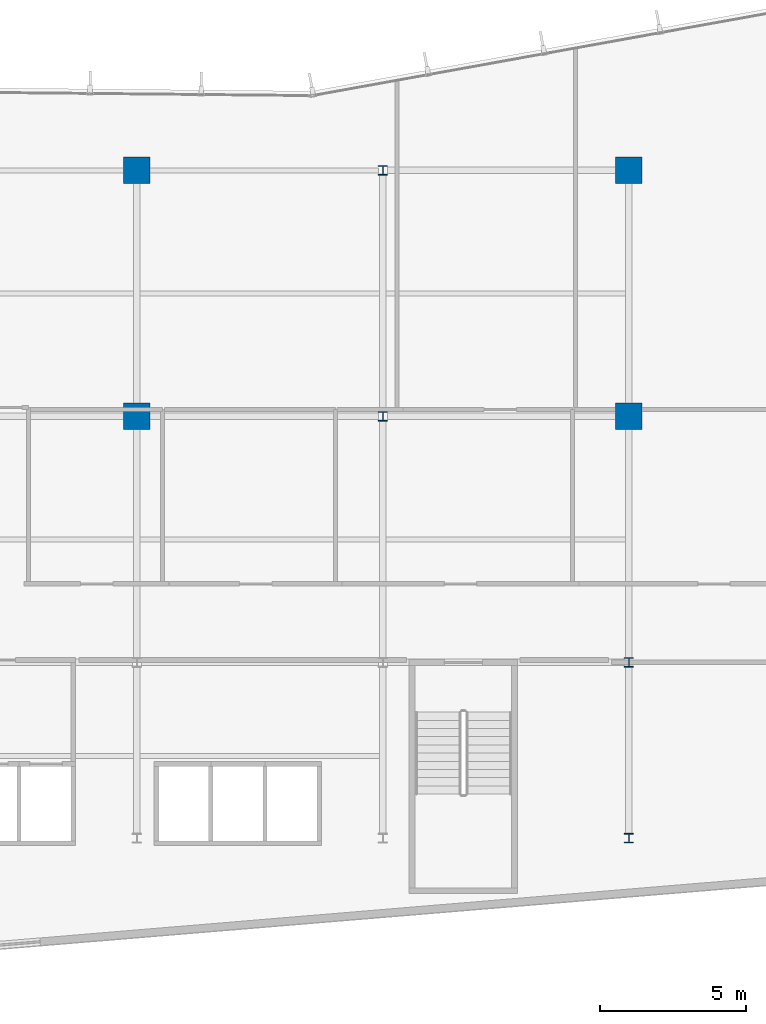
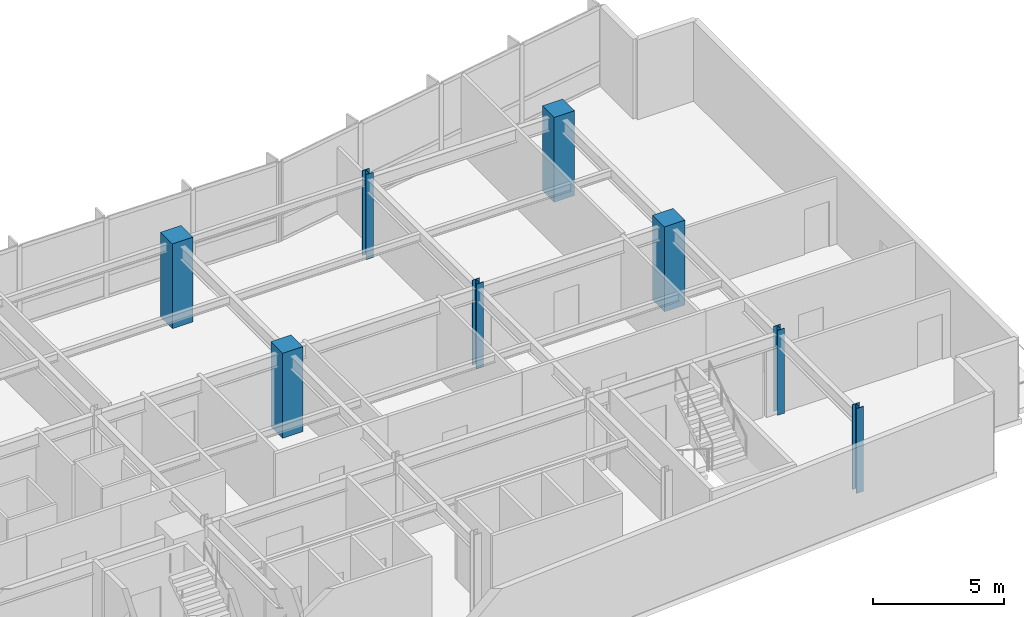
# One storey, part 2 of 18: 8 columns.
"""IFC4 building model written with IfcOpenShell, lengths in metres."""

from ifc_helpers import new_model, si_unit, direction, frame, origin, origin_2d, place, context, subcontext, project, spatial, rectangle, i_section, extrude, material, material_profile, profile_set, type_object, element, save


model = new_model("IFC4")

# Units and contexts
model_context = context("Model", 3, precision=1e-05, world=origin(), true_north=direction((0.0, 1.0)))
body_context = subcontext(model_context, "Body", "Model", "MODEL_VIEW")
ifc_project = project(units=[si_unit("LENGTHUNIT", "METRE"), si_unit("AREAUNIT", "SQUARE_METRE"), si_unit("VOLUMEUNIT", "CUBIC_METRE"), si_unit("PLANEANGLEUNIT", "RADIAN"), si_unit("MASSUNIT", "GRAM", prefix="KILO")], contexts=[model_context])

# Site, building, storey
site_placement = place(None, origin())
site = spatial("IfcSite", under=ifc_project, at=site_placement, CompositionType="ELEMENT")
building_placement = place(site_placement, origin())
building = spatial("IfcBuilding", under=site, at=building_placement, Name="Varnakote Quay Hospital", CompositionType="ELEMENT")
storey_placement = place(building_placement, frame((0.0, 0.0, 69.89990234375)))
storey = spatial("IfcBuildingStorey", under=building, at=storey_placement, Name="L17", CompositionType="ELEMENT", Elevation=69.89990234375)

# Columns
ifc_material_1 = material(Name="Concrete N50 (f'c 50 MPa)", Category="concrete")
ifc_material_profile_1 = material_profile(ifc_material_1, rectangle(XDim=0.89990234375, YDim=0.89990234375, at=origin_2d()), Name="RC-COL-900x900")
ifc_profile_set_1 = profile_set([ifc_material_profile_1], Name="Concrete N50 (f'c 50 MPa)")
column_type_1 = type_object("IfcColumnType", Name="COL-RC-900", PredefinedType="COLUMN", material=ifc_profile_set_1)
for number, where, z_axis, x_axis, name in (
    (1, (33.60009765625, 20.39990234375, 0.0), (0.0, 0.0, 1.0), (1.0, 0.0, 0.0), "L17 Structural Column C-34-20"),
    (2, (50.39990234375, 20.39990234375, 0.0), (0.0, 0.0, 1.0), (1.0, 0.0, 0.0), "L17 Structural Column C-50-20"),
    (3, (33.60009765625, 28.800048828125, 0.0), (0.0, 0.0, 1.0), (1.0, 0.0, 0.0), "L17 Structural Column C-34-29"),
    (4, (50.39990234375, 28.800048828125, 0.0), (0.0, 0.0, 1.0), (1.0, 0.0, 0.0), "L17 Structural Column C-50-29"),
):
    element("IfcColumn", number, at=place(storey_placement, frame(where, z_axis=z_axis, x_axis=x_axis)), inside=storey, type_object=column_type_1, Name=name, PredefinedType="COLUMN", context=body_context, shape_type="SweptSolid", body=[
        extrude(rectangle(XDim=0.89990234375, YDim=0.89990234375, at=origin_2d()), origin(), (0.0, 0.0, 1.0), 3.9501953125),
    ])
ifc_material_2 = material(Name="Structural steel AS/NZS 3679.1 Grade 350 L0 (fy 340 MPa)", Category="steel")
ifc_material_profile_2 = material_profile(ifc_material_2, i_section(OverallWidth=0.31103515625, OverallDepth=0.326904296875, WebThickness=0.015625, FlangeThickness=0.02490234375, FilletRadius=0.0166015625, at=origin_2d()), Name="310UC158")
ifc_profile_set_2 = profile_set([ifc_material_profile_2], Name="Structural steel AS/NZS 3679.1 Grade 350 L0 (fy 340 MPa)")
column_type_2 = type_object("IfcColumnType", Name="COL-STL-310UC158", PredefinedType="COLUMN", material=ifc_profile_set_2)
for number, where, z_axis, x_axis, name in (
    (5, (50.39990234375, 6.0, 0.0), (0.0, 0.0, 1.0), (1.0, 0.0, 0.0), "L17 Structural Column C-50-6"),
    (6, (50.39990234375, 12.0, 0.0), (0.0, 0.0, 1.0), (1.0, 0.0, 0.0), "L17 Structural Column C-50-12"),
    (7, (42.0, 20.39990234375, 0.0), (0.0, 0.0, 1.0), (1.0, 0.0, 0.0), "L17 Structural Column C-42-20"),
    (8, (42.0, 28.800048828125, 0.0), (0.0, 0.0, 1.0), (1.0, 0.0, 0.0), "L17 Structural Column C-42-29"),
):
    element("IfcColumn", number, at=place(storey_placement, frame(where, z_axis=z_axis, x_axis=x_axis)), inside=storey, type_object=column_type_2, Name=name, PredefinedType="COLUMN", context=body_context, shape_type="SweptSolid", body=[
        extrude(i_section(OverallWidth=0.31103515625, OverallDepth=0.326904296875, WebThickness=0.015625, FlangeThickness=0.02490234375, FilletRadius=0.0166015625, at=origin_2d()), origin(), (0.0, 0.0, 1.0), 3.9501953125),
    ])

save(model, "model.ifc")
